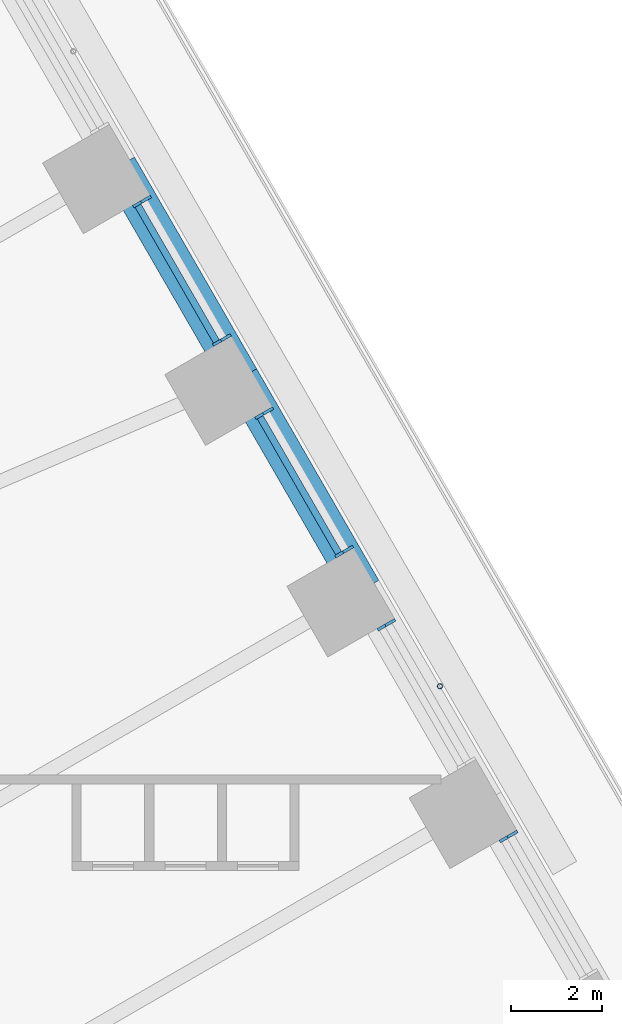
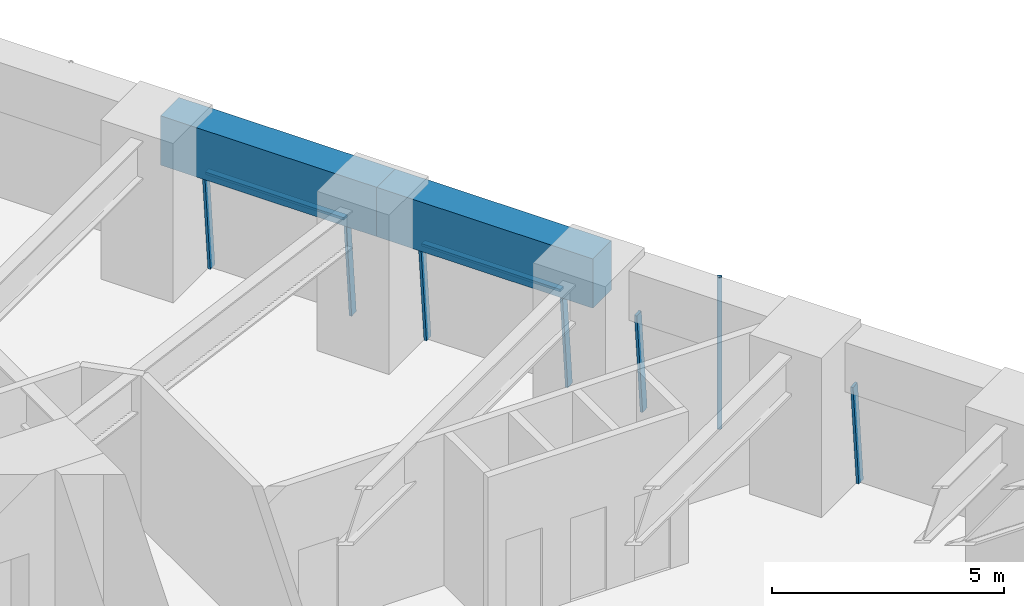
# One storey, part 13 of 24: 9 members, 2 beams, 4 elements without a shape of their own.
"""IFC4 building model written with IfcOpenShell, lengths in metres."""

from ifc_helpers import new_model, si_unit, direction, frame, origin, origin_2d, place, context, subcontext, project, spatial, rectangle, hollow_circle, extrude, material, material_profile, profile_set, type_object, element, aggregate, save


model = new_model("IFC4")

# Units and contexts
model_context = context("Model", 3, precision=1e-05, world=origin(), true_north=direction((0.0, 1.0)))
body_context = subcontext(model_context, "Body", "Model", "MODEL_VIEW")
ifc_project = project(units=[si_unit("LENGTHUNIT", "METRE"), si_unit("AREAUNIT", "SQUARE_METRE"), si_unit("VOLUMEUNIT", "CUBIC_METRE"), si_unit("PLANEANGLEUNIT", "RADIAN"), si_unit("MASSUNIT", "GRAM", prefix="KILO")], contexts=[model_context])

# Site, building, storey
site_placement = place(None, origin())
site = spatial("IfcSite", under=ifc_project, at=site_placement, CompositionType="ELEMENT")
building_placement = place(site_placement, origin())
building = spatial("IfcBuilding", under=site, at=building_placement, Name="Tarfa Lantern Tower", CompositionType="ELEMENT")
storey_placement = place(building_placement, frame((0.0, 0.0, 90.699951171875)))
storey = spatial("IfcBuildingStorey", under=building, at=storey_placement, Name="L20", CompositionType="ELEMENT", Elevation=90.699951171875)

# Curtain wall, member
ifc_material_1 = material(Name="Aluminium framed curtain wall", Category="aluminium")
curtain_wall_type = type_object("IfcCurtainWallType", Name="CW1 CANTED GLAZING LOW ZONE 2700", PredefinedType="USERDEFINED", material=ifc_material_1)
curtain_wall_1_placement = place(storey_placement, origin())
curtain_wall_1 = element("IfcCurtainWall", 1, at=curtain_wall_1_placement, inside=storey, type_object=curtain_wall_type, Name="CW1 NE L20", ObjectType="CURTAIN WALL", PredefinedType="USERDEFINED")
ifc_material_2 = material(Name="Aluminium mullion", Category="aluminium")
ifc_material_profile_1 = material_profile(ifc_material_2, rectangle(XDim=0.06494140625, YDim=0.199951171875, at=origin_2d()), Name="AL MULLION 65x200")
ifc_profile_set_1 = profile_set([ifc_material_profile_1], Name="Aluminium mullion")
member_type_1 = type_object("IfcMemberType", Name="CWM1 MULLION 65x200", PredefinedType="MULLION", material=ifc_profile_set_1)
member_1_placement = place(storey_placement, frame((35.213134765625, 6.80908203125, 0.0), z_axis=(-0.07986442134, -0.046099868913, 0.99573916077), x_axis=(0.499919672301, -0.866071776036, 0.0)))
member_1 = element("IfcMember", 2, at=member_1_placement, type_object=member_type_1, Name="CW1 mullion 2", PredefinedType="MULLION", context=body_context, shape_type="SweptSolid", body=[
    extrude(rectangle(XDim=0.06494140625, YDim=0.199951171875, at=origin_2d()), origin(), (0.0, 0.0, 1.0), 2.71142578125),
])
aggregate(curtain_wall_1, [member_1])

curtain_wall_2_placement = place(storey_placement, origin())
curtain_wall_2 = element("IfcCurtainWall", 3, at=curtain_wall_2_placement, inside=storey, type_object=curtain_wall_type, Name="CW1 NE L20", ObjectType="CURTAIN WALL", PredefinedType="USERDEFINED")
member_2_placement = place(storey_placement, frame((32.518798828125, 11.475830078125, 0.0), z_axis=(-0.07986442134, -0.046099868913, 0.99573916077), x_axis=(0.499919672301, -0.866071776036, 0.0)))
member_2 = element("IfcMember", 4, at=member_2_placement, type_object=member_type_1, Name="CW1 mullion 2", PredefinedType="MULLION", context=body_context, shape_type="SweptSolid", body=[
    extrude(rectangle(XDim=0.06494140625, YDim=0.199951171875, at=origin_2d()), origin(), (0.0, 0.0, 1.0), 2.71142578125),
])
aggregate(curtain_wall_2, [member_2])

# Curtain wall, members
curtain_wall_3_placement = place(storey_placement, origin())
curtain_wall_3 = element("IfcCurtainWall", 5, at=curtain_wall_3_placement, inside=storey, type_object=curtain_wall_type, Name="CW1 NE L20", ObjectType="CURTAIN WALL", PredefinedType="USERDEFINED")
member_3_placement = place(storey_placement, frame((31.58642578125, 13.0908203125, 0.0), z_axis=(-0.07986442134, -0.046099868913, 0.99573916077), x_axis=(0.499919672301, -0.866071776036, 0.0)))
member_3 = element("IfcMember", 6, at=member_3_placement, type_object=member_type_1, Name="CW1 mullion 1", PredefinedType="MULLION", context=body_context, shape_type="SweptSolid", body=[
    extrude(rectangle(XDim=0.06494140625, YDim=0.199951171875, at=origin_2d()), origin(), (0.0, 0.0, 1.0), 2.71142578125),
])
member_4_placement = place(storey_placement, frame((29.824462890625, 16.142333984375, 0.0), z_axis=(-0.07986442134, -0.046099868913, 0.99573916077), x_axis=(0.499919672301, -0.866071776036, 0.0)))
member_4 = element("IfcMember", 7, at=member_4_placement, type_object=member_type_1, Name="CW1 mullion 2", PredefinedType="MULLION", context=body_context, shape_type="SweptSolid", body=[
    extrude(rectangle(XDim=0.06494140625, YDim=0.199951171875, at=origin_2d()), origin(), (0.0, 0.0, 1.0), 2.71142578125),
])

curtain_wall_4_placement = place(storey_placement, origin())
curtain_wall_4 = element("IfcCurtainWall", 8, at=curtain_wall_4_placement, inside=storey, type_object=curtain_wall_type, Name="CW1 NE L20", ObjectType="CURTAIN WALL", PredefinedType="USERDEFINED")
member_5_placement = place(storey_placement, frame((28.89208984375, 17.757568359375, 0.0), z_axis=(-0.07986442134, -0.046099868913, 0.99573916077), x_axis=(0.499919672301, -0.866071776036, 0.0)))
member_5 = element("IfcMember", 9, at=member_5_placement, type_object=member_type_1, Name="CW1 mullion 1", PredefinedType="MULLION", context=body_context, shape_type="SweptSolid", body=[
    extrude(rectangle(XDim=0.06494140625, YDim=0.199951171875, at=origin_2d()), origin(), (0.0, 0.0, 1.0), 2.71142578125),
])
member_6_placement = place(storey_placement, frame((27.130126953125, 20.80908203125, 0.0), z_axis=(-0.079774955866, -0.04610020023, 0.995746317068), x_axis=(0.500342721131, -0.865827443207, 0.0)))
member_6 = element("IfcMember", 10, at=member_6_placement, type_object=member_type_1, Name="CW1 mullion 2", PredefinedType="MULLION", context=body_context, shape_type="SweptSolid", body=[
    extrude(rectangle(XDim=0.06494140625, YDim=0.199951171875, at=origin_2d()), origin(), (0.0, 0.0, 1.0), 2.71142578125),
])

# Member
ifc_material_3 = material(Name="Aluminium transom", Category="aluminium")
ifc_material_profile_2 = material_profile(ifc_material_3, rectangle(XDim=0.14990234375, YDim=0.06494140625, at=origin_2d()), Name="AL TRANSOM 150x65")
ifc_profile_set_2 = profile_set([ifc_material_profile_2], Name="Aluminium transom")
member_type_2 = type_object("IfcMemberType", Name="CWT1 TRANSOM 150x65", PredefinedType="USERDEFINED", material=ifc_profile_set_2)
member_7_placement = place(storey_placement, frame((31.356201171875, 12.99560546875, 2.66748046875), z_axis=(-0.500003541824, 0.866023358902, 0.0), x_axis=(-0.866023358902, -0.500003541824, 0.0)))
member_7 = element("IfcMember", 11, at=member_7_placement, type_object=member_type_2, Name="CW1 transom 1.2", ObjectType="TRANSOM", PredefinedType="USERDEFINED", context=body_context, shape_type="SweptSolid", body=[
    extrude(rectangle(XDim=0.14990234375, YDim=0.06494140625, at=origin_2d()), origin(), (0.0, 0.0, 1.0), 3.45849609375),
])

aggregate(curtain_wall_3, [member_3, member_4, member_7])

member_8_placement = place(storey_placement, frame((28.661865234375, 17.662109375, 2.66748046875), z_axis=(-0.49997297598, 0.866041005548, 0.0), x_axis=(-0.866041005548, -0.49997297598, 0.0)))
member_8 = element("IfcMember", 12, at=member_8_placement, type_object=member_type_2, Name="CW1 transom 1.2", ObjectType="TRANSOM", PredefinedType="USERDEFINED", context=body_context, shape_type="SweptSolid", body=[
    extrude(rectangle(XDim=0.14990234375, YDim=0.06494140625, at=origin_2d()), origin(), (0.0, 0.0, 1.0), 3.458740234375),
])

aggregate(curtain_wall_4, [member_5, member_6, member_8])

# Beams
ifc_material_4 = material(Name="Concrete C80/95", Category="concrete")
ifc_material_profile_3 = material_profile(ifc_material_4, rectangle(XDim=0.800048828125, YDim=1.300048828125, at=origin_2d()), Name="RC 800x1300")
ifc_profile_set_3 = profile_set([ifc_material_profile_3], Name="Concrete C80/95")
beam_type = type_object("IfcBeamType", Name="EB1 RC 800x1300", PredefinedType="SPANDREL", material=ifc_profile_set_3)
beam_1_placement = place(storey_placement, frame((31.896728515625, 12.193359375, 3.35009765625), z_axis=(-0.499998287579, 0.866026392449, 0.0), x_axis=(-0.866026392449, -0.499998287579, 0.0)))
element("IfcBeam", 13, at=beam_1_placement, inside=storey, type_object=beam_type, Name="Edge beam NE2", PredefinedType="SPANDREL", context=body_context, shape_type="SweptSolid", body=[
    extrude(rectangle(XDim=0.800048828125, YDim=1.300048828125, at=origin_2d()), origin(), (0.0, 0.0, 1.0), 5.388671875),
])
beam_2_placement = place(storey_placement, frame((29.202392578125, 16.860107421875, 3.35009765625), z_axis=(-0.500017906299, 0.866015065331, 0.0), x_axis=(-0.866015065331, -0.500017906299, 0.0)))
element("IfcBeam", 14, at=beam_2_placement, inside=storey, type_object=beam_type, Name="Edge beam NE3", PredefinedType="SPANDREL", context=body_context, shape_type="SweptSolid", body=[
    extrude(rectangle(XDim=0.800048828125, YDim=1.300048828125, at=origin_2d()), origin(), (0.0, 0.0, 1.0), 5.388427734375),
])

# Member
ifc_material_5 = material(Name="Steel S355", Category="steel")
ifc_material_profile_4 = material_profile(ifc_material_5, hollow_circle(Radius=0.05712890625, WallThickness=0.00634765625, at=origin_2d()), Name="CHS114.3x6.3")
ifc_profile_set_4 = profile_set([ifc_material_profile_4], Name="Steel S355")
member_type_3 = type_object("IfcMemberType", Name="TR1 GREEN WALL TRELLIS CHS114.3x6.3", PredefinedType="USERDEFINED", material=ifc_profile_set_4)
member_9_placement = place(storey_placement, frame((33.59033203125, 10.06005859375, 0.0), z_axis=(0.0, 0.0, 1.0), x_axis=(1.0, 0.0, 0.0)))
element("IfcMember", 15, at=member_9_placement, inside=storey, type_object=member_type_3, Name="Trellis post NE 1", ObjectType="TRELLIS", PredefinedType="USERDEFINED", context=body_context, shape_type="SweptSolid", body=[
    extrude(hollow_circle(Radius=0.05712890625, WallThickness=0.00634765625, at=origin_2d()), origin(), (0.0, 0.0, 1.0), 4.0),
])

save(model, "model.ifc")
